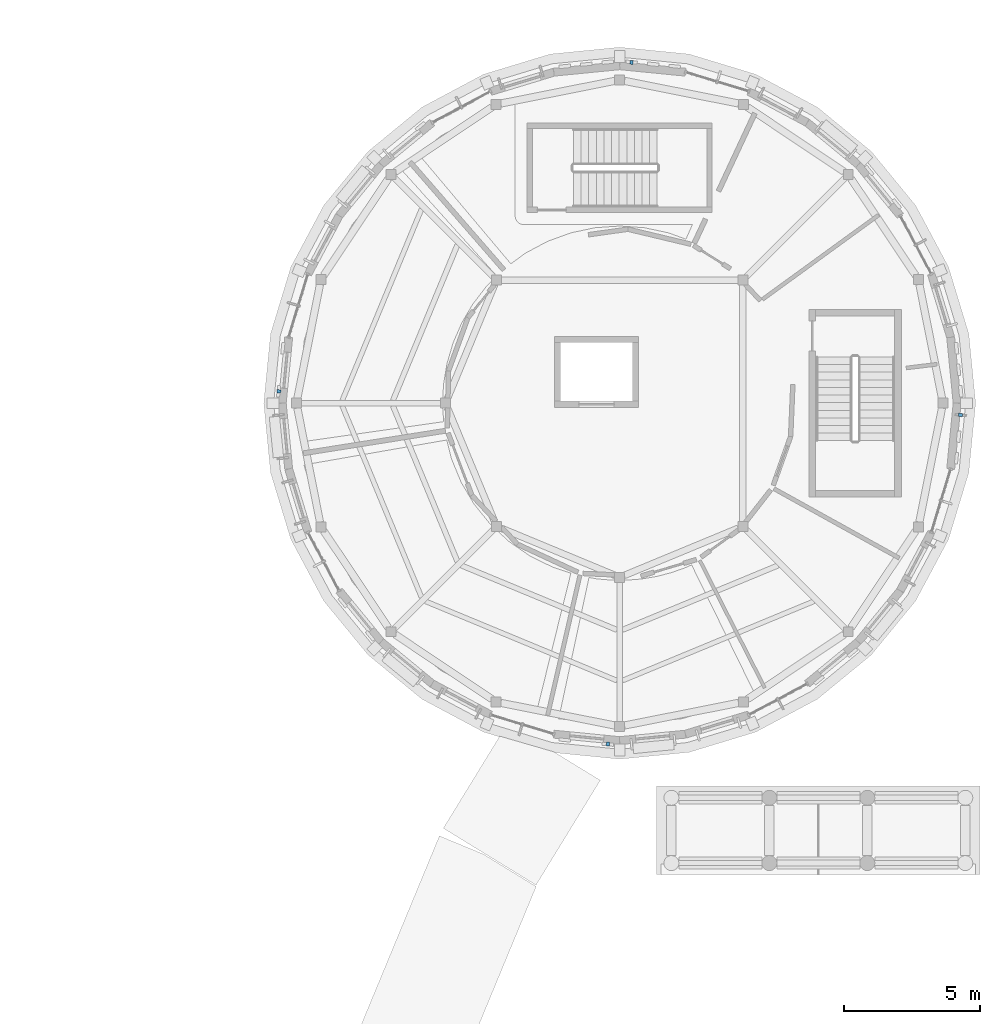
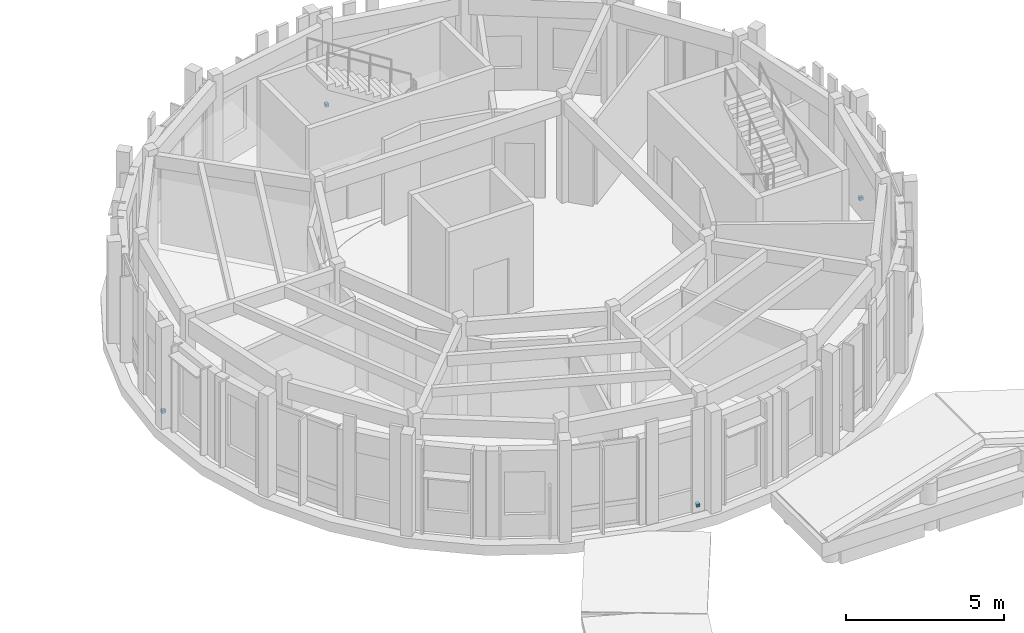
# One storey, part 49 of 58: 4 discrete accessories.
"""IFC4 building model written with IfcOpenShell, lengths in metres."""

import ifcopenshell
import ifcopenshell.guid

model = None  # the IFC model being written
_history = None  # IfcOwnerHistory: only IFC2X3 demands one
_inside = {}  # id of a spatial element -> (the spatial element, [elements in it])
_under = {}  # id of a project, library or spatial element -> (it, [spatial elements below it])
_declared = {}  # id of a project -> (the project, [libraries it declares])
_typed = {}  # id of a type object -> (the type object, [elements of that type])
_made_of = {}  # id of a material, layer set ... -> (it, [elements and type objects made of it])


def new_model(schema):
    """Start an empty IFC model of exactly this schema.

    Asked for "IFC4X3", IfcOpenShell would pick the latest addendum, in which some entities
    have other attributes; the version numbers below select the first issue.
    IFC2X3 requires an IfcOwnerHistory on every rooted entity: one is made here for all.
    """
    global model, _history
    if schema == "IFC4X3":
        model = ifcopenshell.file(schema_version=(4, 3, 0, 0))
    else:
        model = ifcopenshell.file(schema=schema)
    _inside.clear()
    _under.clear()
    _declared.clear()
    _typed.clear()
    _made_of.clear()
    _history = None
    if model.schema == "IFC2X3":
        org = make("IfcOrganization", Name="unknown")
        user = make(
            "IfcPersonAndOrganization",
            ThePerson=make("IfcPerson", FamilyName="unknown"),
            TheOrganization=org,
        )
        app = make(
            "IfcApplication",
            ApplicationDeveloper=org,
            Version="unknown",
            ApplicationFullName="unknown",
            ApplicationIdentifier="unknown",
        )
        _history = make(
            "IfcOwnerHistory",
            OwningUser=user,
            OwningApplication=app,
            ChangeAction="ADDED",
            CreationDate=0,
        )
    return model


def make(cls, **values):
    """One entity of the class cls with the attributes given. An attribute that is None is left unset."""
    return model.create_entity(
        cls, **{name: value for name, value in values.items() if value is not None}
    )


def rooted(cls, **values):
    """An entity with a GlobalId (a new one), such as an element, a storey or a relation."""
    return make(cls, GlobalId=ifcopenshell.guid.new(), OwnerHistory=_history, **values)


def si_unit(unit_type, name, prefix=None):
    """IfcSIUnit, for example si_unit("LENGTHUNIT", "METRE", prefix="MILLI")."""
    return make("IfcSIUnit", UnitType=unit_type, Prefix=prefix, Name=name)


def assignment(units):
    """IfcUnitAssignment: the units of a project."""
    return None if units is None else make("IfcUnitAssignment", Units=units)


def point(xyz):
    """IfcCartesianPoint."""
    return None if xyz is None else make("IfcCartesianPoint", Coordinates=xyz)


def direction(xyz):
    """IfcDirection."""
    return None if xyz is None else make("IfcDirection", DirectionRatios=xyz)


def frame(location, z_axis=None, x_axis=None):
    """IfcAxis2Placement3D, a coordinate frame: its origin and axes. An axis left out is left unset."""
    return make(
        "IfcAxis2Placement3D",
        Location=point(location),
        Axis=direction(z_axis),
        RefDirection=direction(x_axis),
    )


def frame_2d(location, x_axis=None):
    """IfcAxis2Placement2D, a coordinate frame in the plane: its origin and x axis."""
    return make(
        "IfcAxis2Placement2D", Location=point(location), RefDirection=direction(x_axis)
    )


def origin():
    """The frame at (0, 0, 0) with its axes left unset."""
    return frame((0.0, 0.0, 0.0))


def origin_2d():
    """The frame at (0, 0) in the plane with its x axis left unset."""
    return frame_2d((0.0, 0.0))


def place(relative_to, where):
    """IfcLocalPlacement: puts the frame where relative to a parent placement (None: the world)."""
    return make(
        "IfcLocalPlacement", PlacementRelTo=relative_to, RelativePlacement=where
    )


def context(
    kind, dimensions, precision=None, world=None, true_north=None, identifier=None
):
    """IfcGeometricRepresentationContext, for example the 3D "Model" context."""
    return make(
        "IfcGeometricRepresentationContext",
        ContextIdentifier=identifier,
        ContextType=kind,
        CoordinateSpaceDimension=dimensions,
        Precision=precision,
        WorldCoordinateSystem=world,
        TrueNorth=true_north,
    )


def subcontext(parent, identifier, kind, view, scale=None):
    """IfcGeometricRepresentationSubContext, for example "Body" below "Model"."""
    return make(
        "IfcGeometricRepresentationSubContext",
        ContextIdentifier=identifier,
        ContextType=kind,
        ParentContext=parent,
        TargetScale=scale,
        TargetView=view,
    )


def project(units=None, contexts=None):
    """IfcProject with its units and contexts."""
    return rooted(
        "IfcProject",
        Name="project",
        RepresentationContexts=contexts,
        UnitsInContext=assignment(units),
    )


def spatial(cls, under=None, at=None, **own):
    """A site, building, storey or space (cls), placed at a placement, below another one or the project."""
    s = rooted(cls, ObjectPlacement=at, **own)
    if under is not None:
        _under.setdefault(under.id(), (under, []))[1].append(s)
    return s


def profile(cls, at=None, kind="AREA", **sizes):
    """A parametric profile (cls). Its sizes go by their IFC names, for example OverallWidth=200.0."""
    return make(cls, ProfileType=kind, Position=at, **sizes)


def rectangle(**sizes):
    """IfcRectangleProfileDef."""
    return profile("IfcRectangleProfileDef", **sizes)


def extrude(swept, where, along, depth):
    """IfcExtrudedAreaSolid: the profile swept, set in the frame where, extruded along a direction by depth."""
    return make(
        "IfcExtrudedAreaSolid",
        SweptArea=swept,
        Position=where,
        ExtrudedDirection=direction(along),
        Depth=depth,
    )


def shape(context_of_items, identifier, shape_type, items):
    """IfcShapeRepresentation: the items that make up one representation, for example the "Body"."""
    return make(
        "IfcShapeRepresentation",
        ContextOfItems=context_of_items,
        RepresentationIdentifier=identifier,
        RepresentationType=shape_type,
        Items=items,
    )


def material(Name=None, Category=None):
    """IfcMaterial."""
    return make("IfcMaterial", Name=Name, Category=Category)


def made_of(thing, what):
    """Note that an element or type object is made of a material, layer set ...; save() writes the relation."""
    if what is not None:
        _made_of.setdefault(what.id(), (what, []))[1].append(thing)
    return thing


def type_object(cls, material=None, **own):
    """A type object (cls), such as IfcWallType, which elements share."""
    return made_of(rooted(cls, **own), material)


def element(
    cls,
    number,
    at=None,
    inside=None,
    cuts=None,
    type_object=None,
    material=None,
    context=None,
    identifier="Body",
    shape_type=None,
    held_by="IfcProductDefinitionShape",
    body=None,
    shapes=None,
    **own,
):
    """One element of the class cls, such as IfcWall. Its Tag is "e" and its number.

    at: its placement. inside: the storey or other place that contains it. cuts: it is an
    opening in that element (IfcRelVoidsElement). A single representation is given by context,
    identifier, shape_type and body (its items); several are given by shapes. held_by: the class
    of the entity that holds the representations. save() writes the other relations.
    """
    e = rooted(cls, Tag="e%d" % number, ObjectPlacement=at, **own)
    if body is not None:
        shapes = [shape(context, identifier, shape_type, body)]
    if shapes is not None:
        e.Representation = make(held_by, Representations=shapes)
    if inside is not None:
        _inside.setdefault(inside.id(), (inside, []))[1].append(e)
    if cuts is not None:
        rooted(
            "IfcRelVoidsElement", RelatingBuildingElement=cuts, RelatedOpeningElement=e
        )
    if type_object is not None:
        _typed.setdefault(type_object.id(), (type_object, []))[1].append(e)
    return made_of(e, material)


def aggregate(whole, parts):
    """IfcRelAggregates: a whole, such as a stair, and the parts it consists of."""
    return rooted("IfcRelAggregates", RelatingObject=whole, RelatedObjects=parts)


def save(model, path):
    """Write the relations noted so far, then the file.

    IfcRelAggregates (storeys below a building ...), IfcRelContainedInSpatialStructure (elements
    in a storey), IfcRelDefinesByType, IfcRelAssociatesMaterial and IfcRelDeclares: one each for
    every whole, place, type object, material and project.
    """
    for whole, parts in _under.values():
        aggregate(whole, parts)
    for where, things in _inside.values():
        rooted(
            "IfcRelContainedInSpatialStructure",
            RelatedElements=things,
            RelatingStructure=where,
        )
    for kind, things in _typed.values():
        rooted("IfcRelDefinesByType", RelatedObjects=things, RelatingType=kind)
    for what, things in _made_of.values():
        rooted("IfcRelAssociatesMaterial", RelatedObjects=things, RelatingMaterial=what)
    for by, libraries in _declared.values():
        rooted("IfcRelDeclares", RelatingContext=by, RelatedDefinitions=libraries)
    model.write(path)


model = new_model("IFC4")

# Units and contexts
model_context = context("Model", 3, precision=1e-05, world=origin(), true_north=direction((0.0, 1.0)))
body_context = subcontext(model_context, "Body", "Model", "MODEL_VIEW")
ifc_project = project(units=[si_unit("LENGTHUNIT", "METRE"), si_unit("AREAUNIT", "SQUARE_METRE"), si_unit("VOLUMEUNIT", "CUBIC_METRE"), si_unit("PLANEANGLEUNIT", "RADIAN"), si_unit("MASSUNIT", "GRAM", prefix="KILO")], contexts=[model_context])

# Site, building, storey
site_placement = place(None, origin())
site = spatial("IfcSite", under=ifc_project, at=site_placement, CompositionType="ELEMENT")
building_placement = place(site_placement, origin())
building = spatial("IfcBuilding", under=site, at=building_placement, Name="Aldenvaro Health Centre", CompositionType="ELEMENT")
storey_placement = place(building_placement, frame((0.0, 0.0, 8.75)))
storey = spatial("IfcBuildingStorey", under=building, at=storey_placement, Name="L02", CompositionType="ELEMENT", Elevation=8.75)

# Discrete accessories
ifc_material = material(Name="Stainless Steel AISI 316", Category="steel")
discrete_accessory_type = type_object("IfcDiscreteAccessoryType", Name="ACC-BRK-01", PredefinedType="BRACKET", material=ifc_material)
for number, where, z_axis, x_axis, name in (
    (1, (167.02294921875, 99.06591796875, 0.18994140625), (0.0, 0.0, 1.0), (-0.097914988926, -0.995194782414, 0.0), "D2 L02 stainless fin bracket 1"),
    (2, (154.06591796875, 86.97705078125, 0.18994140625), (0.0, 0.0, 1.0), (-0.995194782414, 0.097914988926, 0.0), "D2 L02 stainless fin bracket 9"),
    (3, (141.97705078125, 99.93408203125, 0.18994140625), (0.0, 0.0, 1.0), (0.097914988926, 0.995194782414, 0.0), "D2 L02 stainless fin bracket 17"),
    (4, (154.93408203125, 112.02294921875, 0.18994140625), (0.0, 0.0, 1.0), (0.995194782414, -0.097914988926, 0.0), "D2 L02 stainless fin bracket 25"),
):
    element("IfcDiscreteAccessory", number, at=place(storey_placement, frame(where, z_axis=z_axis, x_axis=x_axis)), inside=storey, type_object=discrete_accessory_type, Name=name, PredefinedType="BRACKET", context=body_context, shape_type="SweptSolid", body=[
        extrude(rectangle(XDim=0.1201171875, YDim=0.139892578125, at=origin_2d()), origin(), (0.0, 0.0, 1.0), 0.1201171875),
    ])

save(model, "model.ifc")
